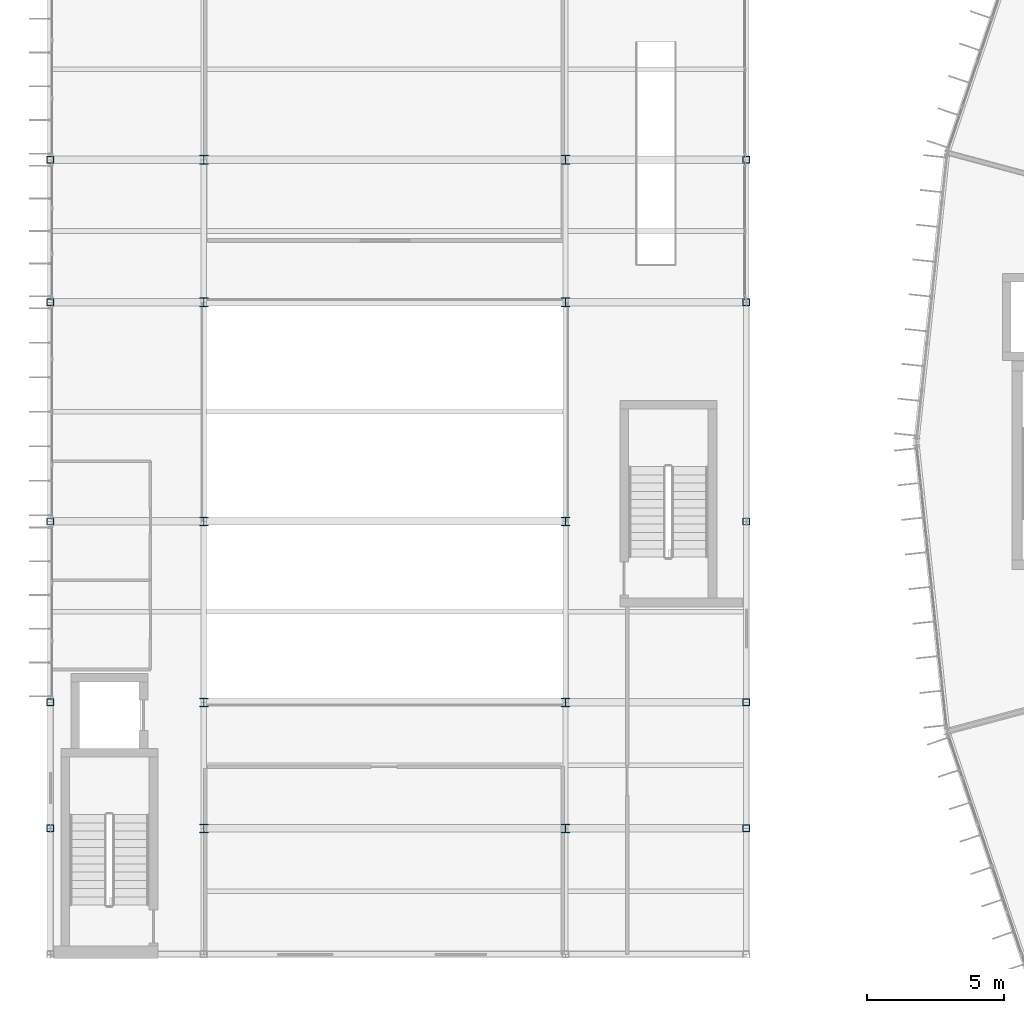
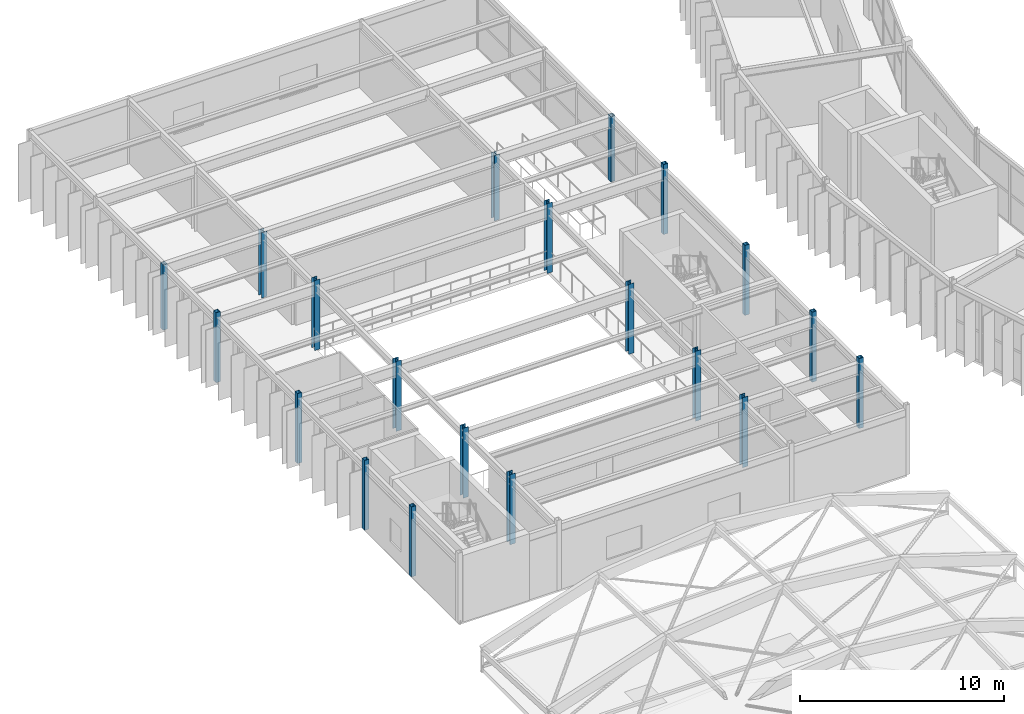
# One storey, part 5 of 157: 20 columns.
"""IFC4 building model written with IfcOpenShell, lengths in metres."""

from ifc_helpers import new_model, si_unit, direction, frame, origin, origin_2d, place, context, subcontext, project, spatial, hollow_rectangle, i_section, extrude, material, material_profile, profile_set, type_object, element, save


model = new_model("IFC4")

# Units and contexts
model_context = context("Model", 3, precision=1e-05, world=origin(), true_north=direction((0.0, 1.0)))
body_context = subcontext(model_context, "Body", "Model", "MODEL_VIEW")
ifc_project = project(units=[si_unit("LENGTHUNIT", "METRE"), si_unit("AREAUNIT", "SQUARE_METRE"), si_unit("VOLUMEUNIT", "CUBIC_METRE"), si_unit("PLANEANGLEUNIT", "RADIAN"), si_unit("MASSUNIT", "GRAM", prefix="KILO")], contexts=[model_context])

# Site, building, storey
site_placement = place(None, origin())
site = spatial("IfcSite", under=ifc_project, at=site_placement, CompositionType="ELEMENT")
building_placement = place(site_placement, origin())
building = spatial("IfcBuilding", under=site, at=building_placement, Name="Karori Crest Natural Sciences Institute", CompositionType="ELEMENT")
storey_placement = place(building_placement, frame((0.0, 0.0, 13.300048828125)))
storey = spatial("IfcBuildingStorey", under=building, at=storey_placement, Name="L03", CompositionType="ELEMENT", Elevation=13.300048828125)

# Columns
ifc_material_1 = material(Name="Structural steel AS/NZS 3679.1 Grade 350", Category="steel")
ifc_material_profile_1 = material_profile(ifc_material_1, i_section(OverallWidth=0.306884765625, OverallDepth=0.31494140625, WebThickness=0.011962890625, FlangeThickness=0.018798828125, FilletRadius=0.01708984375, at=origin_2d()), Name="310UC118")
ifc_profile_set_1 = profile_set([ifc_material_profile_1], Name="Structural steel AS/NZS 3679.1 Grade 350")
column_type_1 = type_object("IfcColumnType", Name="CT-05", PredefinedType="COLUMN", material=ifc_profile_set_1)
for number, where, z_axis, x_axis, name in (
    (1, (7.39990234375, 35.800048828125, 0.0), (0.0, 0.0, 1.0), (1.0, 0.0, 0.0), "Column C-0584"),
    (2, (7.39990234375, 40.39990234375, 0.0), (0.0, 0.0, 1.0), (1.0, 0.0, 0.0), "Column C-0590"),
    (3, (7.39990234375, 47.0, 0.0), (0.0, 0.0, 1.0), (1.0, 0.0, 0.0), "Column C-0596"),
    (4, (7.39990234375, 55.0, 0.0), (0.0, 0.0, 1.0), (1.0, 0.0, 0.0), "Column C-0602"),
):
    element("IfcColumn", number, at=place(storey_placement, frame(where, z_axis=z_axis, x_axis=x_axis)), inside=storey, type_object=column_type_1, Name=name, PredefinedType="COLUMN", context=body_context, shape_type="SweptSolid", body=[
        extrude(i_section(OverallWidth=0.306884765625, OverallDepth=0.31494140625, WebThickness=0.011962890625, FlangeThickness=0.018798828125, FilletRadius=0.01708984375, at=origin_2d()), origin(), (0.0, 0.0, 1.0), 4.199951171875),
    ])
column_1_placement = place(storey_placement, frame((7.39990234375, 60.199951171875, 0.0), z_axis=(0.0, 0.0, 1.0), x_axis=(1.0, 0.0, 0.0)))
element("IfcColumn", 5, at=column_1_placement, inside=storey, type_object=column_type_1, Name="Column C-0608", PredefinedType="COLUMN", context=body_context, shape_type="SweptSolid", body=[
    extrude(i_section(OverallWidth=0.306884765625, OverallDepth=0.31494140625, WebThickness=0.011962890625, FlangeThickness=0.018798828125, FilletRadius=0.01708984375, at=origin_2d()), origin(), (0.0, 0.0, 1.0), 3.919921875),
])
for number, where, z_axis, x_axis, name in (
    (6, (20.60009765625, 35.800048828125, 0.0), (0.0, 0.0, 1.0), (1.0, 0.0, 0.0), "Column C-0629"),
    (7, (20.60009765625, 40.39990234375, 0.0), (0.0, 0.0, 1.0), (1.0, 0.0, 0.0), "Column C-0635"),
    (8, (20.60009765625, 47.0, 0.0), (0.0, 0.0, 1.0), (1.0, 0.0, 0.0), "Column C-0641"),
    (9, (20.60009765625, 55.0, 0.0), (0.0, 0.0, 1.0), (1.0, 0.0, 0.0), "Column C-0647"),
):
    element("IfcColumn", number, at=place(storey_placement, frame(where, z_axis=z_axis, x_axis=x_axis)), inside=storey, type_object=column_type_1, Name=name, PredefinedType="COLUMN", context=body_context, shape_type="SweptSolid", body=[
        extrude(i_section(OverallWidth=0.306884765625, OverallDepth=0.31494140625, WebThickness=0.011962890625, FlangeThickness=0.018798828125, FilletRadius=0.01708984375, at=origin_2d()), origin(), (0.0, 0.0, 1.0), 4.199951171875),
    ])
column_2_placement = place(storey_placement, frame((20.60009765625, 60.199951171875, 0.0), z_axis=(0.0, 0.0, 1.0), x_axis=(1.0, 0.0, 0.0)))
element("IfcColumn", 10, at=column_2_placement, inside=storey, type_object=column_type_1, Name="Column C-0653", PredefinedType="COLUMN", context=body_context, shape_type="SweptSolid", body=[
    extrude(i_section(OverallWidth=0.306884765625, OverallDepth=0.31494140625, WebThickness=0.011962890625, FlangeThickness=0.018798828125, FilletRadius=0.01708984375, at=origin_2d()), origin(), (0.0, 0.0, 1.0), 3.919921875),
])
ifc_material_2 = material(Name="Hollow structural steel AS/NZS 1163 Grade C350", Category="steel")
ifc_material_profile_2 = material_profile(ifc_material_2, hollow_rectangle(XDim=0.25, YDim=0.25, WallThickness=0.012451171875, at=origin_2d()), Name="SHS250x250x12.5")
ifc_profile_set_2 = profile_set([ifc_material_profile_2], Name="Hollow structural steel AS/NZS 1163 Grade C350")
column_type_2 = type_object("IfcColumnType", Name="CT-12", PredefinedType="COLUMN", material=ifc_profile_set_2)
for number, where, z_axis, x_axis, name in (
    (11, (1.800048828125, 35.800048828125, 0.0), (0.0, 0.0, 1.0), (1.0, 0.0, 0.0), "Column C-0539"),
    (12, (1.800048828125, 40.39990234375, 0.0), (0.0, 0.0, 1.0), (1.0, 0.0, 0.0), "Column C-0545"),
    (13, (1.800048828125, 47.0, 0.0), (0.0, 0.0, 1.0), (1.0, 0.0, 0.0), "Column C-0551"),
    (14, (1.800048828125, 55.0, 0.0), (0.0, 0.0, 1.0), (1.0, 0.0, 0.0), "Column C-0557"),
):
    element("IfcColumn", number, at=place(storey_placement, frame(where, z_axis=z_axis, x_axis=x_axis)), inside=storey, type_object=column_type_2, Name=name, PredefinedType="COLUMN", context=body_context, shape_type="SweptSolid", body=[
        extrude(hollow_rectangle(XDim=0.25, YDim=0.25, WallThickness=0.012451171875, at=origin_2d()), origin(), (0.0, 0.0, 1.0), 4.199951171875),
    ])
column_3_placement = place(storey_placement, frame((1.800048828125, 60.199951171875, 0.0), z_axis=(0.0, 0.0, 1.0), x_axis=(1.0, 0.0, 0.0)))
element("IfcColumn", 15, at=column_3_placement, inside=storey, type_object=column_type_2, Name="Column C-0563", PredefinedType="COLUMN", context=body_context, shape_type="SweptSolid", body=[
    extrude(hollow_rectangle(XDim=0.25, YDim=0.25, WallThickness=0.012451171875, at=origin_2d()), origin(), (0.0, 0.0, 1.0), 3.919921875),
])
for number, where, z_axis, x_axis, name in (
    (16, (27.199951171875, 35.800048828125, 0.0), (0.0, 0.0, 1.0), (1.0, 0.0, 0.0), "Column C-0674"),
    (17, (27.199951171875, 40.39990234375, 0.0), (0.0, 0.0, 1.0), (1.0, 0.0, 0.0), "Column C-0680"),
    (18, (27.199951171875, 47.0, 0.0), (0.0, 0.0, 1.0), (1.0, 0.0, 0.0), "Column C-0686"),
    (19, (27.199951171875, 55.0, 0.0), (0.0, 0.0, 1.0), (1.0, 0.0, 0.0), "Column C-0692"),
):
    element("IfcColumn", number, at=place(storey_placement, frame(where, z_axis=z_axis, x_axis=x_axis)), inside=storey, type_object=column_type_2, Name=name, PredefinedType="COLUMN", context=body_context, shape_type="SweptSolid", body=[
        extrude(hollow_rectangle(XDim=0.25, YDim=0.25, WallThickness=0.012451171875, at=origin_2d()), origin(), (0.0, 0.0, 1.0), 4.199951171875),
    ])
column_4_placement = place(storey_placement, frame((27.199951171875, 60.199951171875, 0.0), z_axis=(0.0, 0.0, 1.0), x_axis=(1.0, 0.0, 0.0)))
element("IfcColumn", 20, at=column_4_placement, inside=storey, type_object=column_type_2, Name="Column C-0698", PredefinedType="COLUMN", context=body_context, shape_type="SweptSolid", body=[
    extrude(hollow_rectangle(XDim=0.25, YDim=0.25, WallThickness=0.012451171875, at=origin_2d()), origin(), (0.0, 0.0, 1.0), 3.919921875),
])

save(model, "model.ifc")
